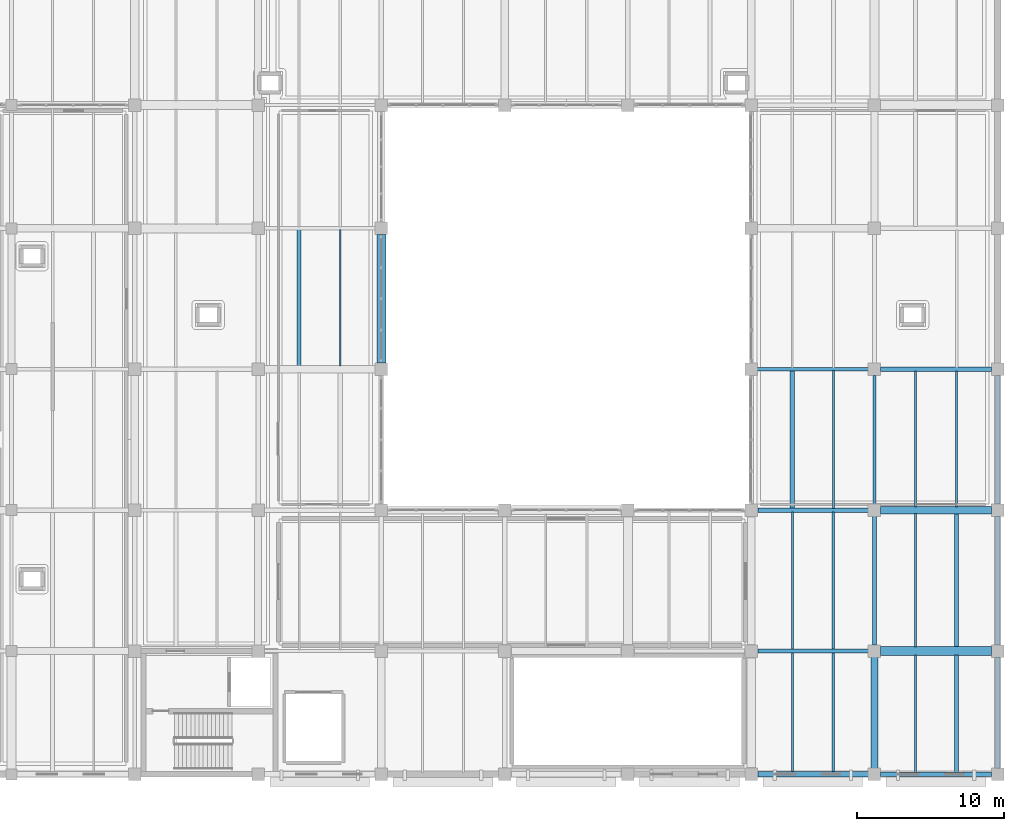
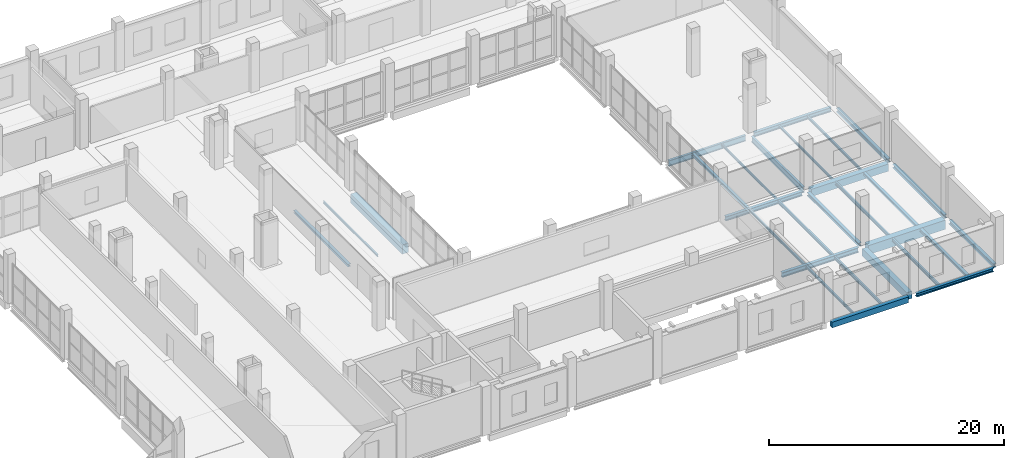
# One storey, part 32 of 66: 29 beams.
"""IFC4 building model written with IfcOpenShell, lengths in metres."""

from ifc_helpers import new_model, si_unit, direction, frame, origin, origin_2d, place, context, subcontext, project, spatial, rectangle, i_section, extrude, material, material_profile, profile_set, type_object, element, save


model = new_model("IFC4")

# Units and contexts
model_context = context("Model", 3, precision=1e-05, world=origin(), true_north=direction((0.0, 1.0)))
body_context = subcontext(model_context, "Body", "Model", "MODEL_VIEW")
ifc_project = project(units=[si_unit("LENGTHUNIT", "METRE"), si_unit("AREAUNIT", "SQUARE_METRE"), si_unit("VOLUMEUNIT", "CUBIC_METRE"), si_unit("PLANEANGLEUNIT", "RADIAN"), si_unit("MASSUNIT", "GRAM", prefix="KILO")], contexts=[model_context])

# Site, building, storey
site_placement = place(None, origin())
site = spatial("IfcSite", under=ifc_project, at=site_placement, CompositionType="ELEMENT")
building_placement = place(site_placement, origin())
building = spatial("IfcBuilding", under=site, at=building_placement, Name="Zulmaris Art Gallery", CompositionType="ELEMENT")
storey_placement = place(building_placement, frame((0.0, 0.0, 5.39990234375)))
storey = spatial("IfcBuildingStorey", under=building, at=storey_placement, Name="L01", CompositionType="ELEMENT", Elevation=5.39990234375)

# Beams
ifc_material_1 = material(Name="Steel S355J2", Category="steel")
ifc_material_profile_1 = material_profile(ifc_material_1, i_section(OverallWidth=0.219970703125, OverallDepth=0.60009765625, WebThickness=0.011962890625, FlangeThickness=0.01904296875, FilletRadius=0.02392578125, at=origin_2d()), Name="IPE 600")
ifc_profile_set_1 = profile_set([ifc_material_profile_1], Name="Steel S355J2")
beam_type_1 = type_object("IfcBeamType", Name="BEAM-BM07", PredefinedType="BEAM", material=ifc_profile_set_1)
beam_1_placement = place(storey_placement, frame((184.010009765625, 40.800048828125, -0.6298828125), z_axis=(1.0, 0.0, 0.0), x_axis=(0.0, 1.0, 0.0)))
element("IfcBeam", 1, at=beam_1_placement, inside=storey, type_object=beam_type_1, Name="L01 X-girder (183.6..192.0, y=40.8)", PredefinedType="BEAM", context=body_context, shape_type="SweptSolid", body=[
    extrude(i_section(OverallWidth=0.219970703125, OverallDepth=0.60009765625, WebThickness=0.011962890625, FlangeThickness=0.01904296875, FilletRadius=0.02392578125, at=origin_2d()), origin(), (0.0, 0.0, 1.0), 7.580078125),
])
beam_2_placement = place(storey_placement, frame((192.0, 31.610107421875, -0.6298828125), z_axis=(0.0, 1.0, 0.0), x_axis=(-1.0, 0.0, 0.0)))
element("IfcBeam", 2, at=beam_2_placement, inside=storey, type_object=beam_type_1, Name="L01 Y-girder (x=192.0, 31.2..40.8)", PredefinedType="BEAM", context=body_context, shape_type="SweptSolid", body=[
    extrude(i_section(OverallWidth=0.219970703125, OverallDepth=0.60009765625, WebThickness=0.011962890625, FlangeThickness=0.01904296875, FilletRadius=0.02392578125, at=origin_2d()), origin(), (0.0, 0.0, 1.0), 8.77978515625),
])
ifc_material_profile_2 = material_profile(ifc_material_1, i_section(OverallWidth=0.300048828125, OverallDepth=0.330078125, WebThickness=0.009521484375, FlangeThickness=0.0166015625, FilletRadius=0.027099609375, at=origin_2d()), Name="HEA 340")
ifc_profile_set_2 = profile_set([ifc_material_profile_2], Name="Steel S355J2")
beam_type_2 = type_object("IfcBeamType", Name="BEAM-BM08", PredefinedType="BEAM", material=ifc_profile_set_2)
beam_3_placement = place(storey_placement, frame((192.0, 22.010009765625, -0.494873046875), z_axis=(0.0, 1.0, 0.0), x_axis=(-1.0, 0.0, 0.0)))
element("IfcBeam", 3, at=beam_3_placement, inside=storey, type_object=beam_type_2, Name="L01 Y-girder (x=192.0, 21.6..31.2)", PredefinedType="BEAM", context=body_context, shape_type="SweptSolid", body=[
    extrude(i_section(OverallWidth=0.300048828125, OverallDepth=0.330078125, WebThickness=0.009521484375, FlangeThickness=0.0166015625, FilletRadius=0.027099609375, at=origin_2d()), origin(), (0.0, 0.0, 1.0), 8.780029296875),
])
ifc_material_profile_3 = material_profile(ifc_material_1, i_section(OverallWidth=0.300048828125, OverallDepth=0.449951171875, WebThickness=0.013916015625, FlangeThickness=0.02587890625, FilletRadius=0.027099609375, at=origin_2d()), Name="HEB 450")
ifc_profile_set_3 = profile_set([ifc_material_profile_3], Name="Steel S355J2")
beam_type_3 = type_object("IfcBeamType", Name="BEAM-BM13", PredefinedType="BEAM", material=ifc_profile_set_3)
beam_4_placement = place(storey_placement, frame((184.06005859375, 31.199951171875, -0.554931640625), z_axis=(1.0, 0.0, 0.0), x_axis=(0.0, 1.0, 0.0)))
element("IfcBeam", 4, at=beam_4_placement, inside=storey, type_object=beam_type_3, Name="L01 X-girder (183.6..192.0, y=31.2)", PredefinedType="BEAM", context=body_context, shape_type="SweptSolid", body=[
    extrude(i_section(OverallWidth=0.300048828125, OverallDepth=0.449951171875, WebThickness=0.013916015625, FlangeThickness=0.02587890625, FilletRadius=0.027099609375, at=origin_2d()), origin(), (0.0, 0.0, 1.0), 7.530029296875),
])
beam_5_placement = place(storey_placement, frame((192.409912109375, 40.800048828125, -0.554931640625), z_axis=(1.0, 0.0, 0.0), x_axis=(0.0, 1.0, 0.0)))
element("IfcBeam", 5, at=beam_5_placement, inside=storey, type_object=beam_type_3, Name="L01 X-girder (192.0..200.4, y=40.8)", PredefinedType="BEAM", context=body_context, shape_type="SweptSolid", body=[
    extrude(i_section(OverallWidth=0.300048828125, OverallDepth=0.449951171875, WebThickness=0.013916015625, FlangeThickness=0.02587890625, FilletRadius=0.027099609375, at=origin_2d()), origin(), (0.0, 0.0, 1.0), 7.580078125),
])
ifc_material_profile_4 = material_profile(ifc_material_1, i_section(OverallWidth=0.300048828125, OverallDepth=0.5, WebThickness=0.014404296875, FlangeThickness=0.028076171875, FilletRadius=0.027099609375, at=origin_2d()), Name="HEB 500")
ifc_profile_set_4 = profile_set([ifc_material_profile_4], Name="Steel S355J2")
beam_type_4 = type_object("IfcBeamType", Name="BEAM-BM14", PredefinedType="BEAM", material=ifc_profile_set_4)
beam_6_placement = place(storey_placement, frame((184.06005859375, 21.60009765625, -0.579833984375), z_axis=(1.0, 0.0, 0.0), x_axis=(0.0, 1.0, 0.0)))
element("IfcBeam", 6, at=beam_6_placement, inside=storey, type_object=beam_type_4, Name="L01 X-girder (183.6..192.0, y=21.6)", PredefinedType="BEAM", context=body_context, shape_type="SweptSolid", body=[
    extrude(i_section(OverallWidth=0.300048828125, OverallDepth=0.5, WebThickness=0.014404296875, FlangeThickness=0.028076171875, FilletRadius=0.027099609375, at=origin_2d()), origin(), (0.0, 0.0, 1.0), 7.530029296875),
])
ifc_material_2 = material(Name="Concrete C40/50", Category="concrete")
ifc_material_profile_5 = material_profile(ifc_material_2, rectangle(XDim=0.5, YDim=0.75, at=origin_2d()), Name="RC 500x750")
ifc_profile_set_5 = profile_set([ifc_material_profile_5], Name="Concrete C40/50")
beam_type_5 = type_object("IfcBeamType", Name="BEAM-BM20", PredefinedType="BEAM", material=ifc_profile_set_5)
beam_7_placement = place(storey_placement, frame((192.409912109375, 31.199951171875, -0.704833984375), z_axis=(1.0, 0.0, 0.0), x_axis=(0.0, 1.0, 0.0)))
element("IfcBeam", 7, at=beam_7_placement, inside=storey, type_object=beam_type_5, Name="L01 X-girder (192.0..200.4, y=31.2)", PredefinedType="BEAM", context=body_context, shape_type="SweptSolid", body=[
    extrude(rectangle(XDim=0.5, YDim=0.75, at=origin_2d()), origin(), (0.0, 0.0, 1.0), 7.580078125),
])
beam_8_placement = place(storey_placement, frame((192.0, 13.610107421875, -0.704833984375), z_axis=(0.0, 1.0, 0.0), x_axis=(-1.0, 0.0, 0.0)))
element("IfcBeam", 8, at=beam_8_placement, inside=storey, type_object=beam_type_5, Name="L01 Y-girder (x=192.0, 13.2..21.6)", PredefinedType="BEAM", context=body_context, shape_type="SweptSolid", body=[
    extrude(rectangle(XDim=0.5, YDim=0.75, at=origin_2d()), origin(), (0.0, 0.0, 1.0), 7.579833984375),
])
ifc_material_profile_6 = material_profile(ifc_material_2, rectangle(XDim=0.60009765625, YDim=0.949951171875, at=origin_2d()), Name="RC 600x950")
ifc_profile_set_6 = profile_set([ifc_material_profile_6], Name="Concrete C40/50")
beam_type_6 = type_object("IfcBeamType", Name="BEAM-BM22", PredefinedType="BEAM", material=ifc_profile_set_6)
beam_9_placement = place(storey_placement, frame((192.409912109375, 21.60009765625, -0.804931640625), z_axis=(1.0, 0.0, 0.0), x_axis=(0.0, 1.0, 0.0)))
element("IfcBeam", 9, at=beam_9_placement, inside=storey, type_object=beam_type_6, Name="L01 X-girder (192.0..200.4, y=21.6)", PredefinedType="BEAM", context=body_context, shape_type="SweptSolid", body=[
    extrude(rectangle(XDim=0.60009765625, YDim=0.949951171875, at=origin_2d()), origin(), (0.0, 0.0, 1.0), 7.580078125),
])
beam_10_placement = place(storey_placement, frame((158.39990234375, 41.2099609375, -0.804931640625), z_axis=(0.0, 1.0, 0.0), x_axis=(-1.0, 0.0, 0.0)))
element("IfcBeam", 10, at=beam_10_placement, inside=storey, type_object=beam_type_6, Name="L01 Y-girder (x=158.4, 40.8..50.4)", PredefinedType="BEAM", context=body_context, shape_type="SweptSolid", body=[
    extrude(rectangle(XDim=0.60009765625, YDim=0.949951171875, at=origin_2d()), origin(), (0.0, 0.0, 1.0), 8.780029296875),
])
ifc_material_profile_7 = material_profile(ifc_material_1, i_section(OverallWidth=0.1201171875, OverallDepth=0.239990234375, WebThickness=0.006103515625, FlangeThickness=0.009765625, FilletRadius=0.014892578125, at=origin_2d()), Name="IPE 240")
ifc_profile_set_7 = profile_set([ifc_material_profile_7], Name="Steel S355J2")
beam_type_7 = type_object("IfcBeamType", Name="BEAM-JS01", PredefinedType="JOIST", material=ifc_profile_set_7)
beam_11_placement = place(storey_placement, frame((155.60009765625, 41.02490234375, -0.449951171875), z_axis=(0.0, 1.0, 0.0), x_axis=(-1.0, 0.0, 0.0)))
element("IfcBeam", 11, at=beam_11_placement, inside=storey, type_object=beam_type_7, Name="L01 secondary joist at x=155.6", PredefinedType="JOIST", context=body_context, shape_type="SweptSolid", body=[
    extrude(i_section(OverallWidth=0.1201171875, OverallDepth=0.239990234375, WebThickness=0.006103515625, FlangeThickness=0.009765625, FilletRadius=0.014892578125, at=origin_2d()), origin(), (0.0, 0.0, 1.0), 9.2900390625),
])
beam_12_placement = place(storey_placement, frame((189.199951171875, 31.324951171875, -0.449951171875), z_axis=(0.0, 1.0, 0.0), x_axis=(-1.0, 0.0, 0.0)))
element("IfcBeam", 12, at=beam_12_placement, inside=storey, type_object=beam_type_7, Name="L01 secondary joist at x=189.2", PredefinedType="JOIST", context=body_context, shape_type="SweptSolid", body=[
    extrude(i_section(OverallWidth=0.1201171875, OverallDepth=0.239990234375, WebThickness=0.006103515625, FlangeThickness=0.009765625, FilletRadius=0.014892578125, at=origin_2d()), origin(), (0.0, 0.0, 1.0), 9.39013671875),
])
beam_13_placement = place(storey_placement, frame((194.800048828125, 31.425048828125, -0.449951171875), z_axis=(0.0, 1.0, 0.0), x_axis=(-1.0, 0.0, 0.0)))
element("IfcBeam", 13, at=beam_13_placement, inside=storey, type_object=beam_type_7, Name="L01 secondary joist at x=194.8", PredefinedType="JOIST", context=body_context, shape_type="SweptSolid", body=[
    extrude(i_section(OverallWidth=0.1201171875, OverallDepth=0.239990234375, WebThickness=0.006103515625, FlangeThickness=0.009765625, FilletRadius=0.014892578125, at=origin_2d()), origin(), (0.0, 0.0, 1.0), 9.25),
])
ifc_material_profile_8 = material_profile(ifc_material_1, i_section(OverallWidth=0.135009765625, OverallDepth=0.27001953125, WebThickness=0.006591796875, FlangeThickness=0.01025390625, FilletRadius=0.014892578125, at=origin_2d()), Name="IPE 270")
ifc_profile_set_8 = profile_set([ifc_material_profile_8], Name="Steel S355J2")
beam_type_8 = type_object("IfcBeamType", Name="BEAM-JS02", PredefinedType="JOIST", material=ifc_profile_set_8)
beam_14_placement = place(storey_placement, frame((186.39990234375, 13.375, -0.46484375), z_axis=(0.0, 1.0, 0.0), x_axis=(-1.0, 0.0, 0.0)))
element("IfcBeam", 14, at=beam_14_placement, inside=storey, type_object=beam_type_8, Name="L01 secondary joist at x=186.4", PredefinedType="JOIST", context=body_context, shape_type="SweptSolid", body=[
    extrude(i_section(OverallWidth=0.135009765625, OverallDepth=0.27001953125, WebThickness=0.006591796875, FlangeThickness=0.01025390625, FilletRadius=0.014892578125, at=origin_2d()), origin(), (0.0, 0.0, 1.0), 8.10009765625),
])
beam_15_placement = place(storey_placement, frame((186.39990234375, 21.72509765625, -0.46484375), z_axis=(0.0, 1.0, 0.0), x_axis=(-1.0, 0.0, 0.0)))
element("IfcBeam", 15, at=beam_15_placement, inside=storey, type_object=beam_type_8, Name="L01 secondary joist at x=186.4", PredefinedType="JOIST", context=body_context, shape_type="SweptSolid", body=[
    extrude(i_section(OverallWidth=0.135009765625, OverallDepth=0.27001953125, WebThickness=0.006591796875, FlangeThickness=0.01025390625, FilletRadius=0.014892578125, at=origin_2d()), origin(), (0.0, 0.0, 1.0), 9.349853515625),
])
beam_16_placement = place(storey_placement, frame((197.60009765625, 31.425048828125, -0.46484375), z_axis=(0.0, 1.0, 0.0), x_axis=(-1.0, 0.0, 0.0)))
element("IfcBeam", 16, at=beam_16_placement, inside=storey, type_object=beam_type_8, Name="L01 secondary joist at x=197.6", PredefinedType="JOIST", context=body_context, shape_type="SweptSolid", body=[
    extrude(i_section(OverallWidth=0.135009765625, OverallDepth=0.27001953125, WebThickness=0.006591796875, FlangeThickness=0.01025390625, FilletRadius=0.014892578125, at=origin_2d()), origin(), (0.0, 0.0, 1.0), 9.25),
])
ifc_material_profile_9 = material_profile(ifc_material_1, i_section(OverallWidth=0.159912109375, OverallDepth=0.330078125, WebThickness=0.007568359375, FlangeThickness=0.011474609375, FilletRadius=0.01806640625, at=origin_2d()), Name="IPE 330")
ifc_profile_set_9 = profile_set([ifc_material_profile_9], Name="Steel S355J2")
beam_type_9 = type_object("IfcBeamType", Name="BEAM-JS03", PredefinedType="JOIST", material=ifc_profile_set_9)
beam_17_placement = place(storey_placement, frame((189.199951171875, 13.375, -0.494873046875), z_axis=(0.0, 1.0, 0.0), x_axis=(-1.0, 0.0, 0.0)))
element("IfcBeam", 17, at=beam_17_placement, inside=storey, type_object=beam_type_9, Name="L01 secondary joist at x=189.2", PredefinedType="JOIST", context=body_context, shape_type="SweptSolid", body=[
    extrude(i_section(OverallWidth=0.159912109375, OverallDepth=0.330078125, WebThickness=0.007568359375, FlangeThickness=0.011474609375, FilletRadius=0.01806640625, at=origin_2d()), origin(), (0.0, 0.0, 1.0), 8.10009765625),
])
beam_18_placement = place(storey_placement, frame((189.199951171875, 21.72509765625, -0.494873046875), z_axis=(0.0, 1.0, 0.0), x_axis=(-1.0, 0.0, 0.0)))
element("IfcBeam", 18, at=beam_18_placement, inside=storey, type_object=beam_type_9, Name="L01 secondary joist at x=189.2", PredefinedType="JOIST", context=body_context, shape_type="SweptSolid", body=[
    extrude(i_section(OverallWidth=0.159912109375, OverallDepth=0.330078125, WebThickness=0.007568359375, FlangeThickness=0.011474609375, FilletRadius=0.01806640625, at=origin_2d()), origin(), (0.0, 0.0, 1.0), 9.349853515625),
])
beam_19_placement = place(storey_placement, frame((194.800048828125, 13.324951171875, -0.494873046875), z_axis=(0.0, 1.0, 0.0), x_axis=(-1.0, 0.0, 0.0)))
element("IfcBeam", 19, at=beam_19_placement, inside=storey, type_object=beam_type_9, Name="L01 secondary joist at x=194.8", PredefinedType="JOIST", context=body_context, shape_type="SweptSolid", body=[
    extrude(i_section(OverallWidth=0.159912109375, OverallDepth=0.330078125, WebThickness=0.007568359375, FlangeThickness=0.011474609375, FilletRadius=0.01806640625, at=origin_2d()), origin(), (0.0, 0.0, 1.0), 8.0),
])
beam_20_placement = place(storey_placement, frame((194.800048828125, 21.875, -0.494873046875), z_axis=(0.0, 1.0, 0.0), x_axis=(-1.0, 0.0, 0.0)))
element("IfcBeam", 20, at=beam_20_placement, inside=storey, type_object=beam_type_9, Name="L01 secondary joist at x=194.8", PredefinedType="JOIST", context=body_context, shape_type="SweptSolid", body=[
    extrude(i_section(OverallWidth=0.159912109375, OverallDepth=0.330078125, WebThickness=0.007568359375, FlangeThickness=0.011474609375, FilletRadius=0.01806640625, at=origin_2d()), origin(), (0.0, 0.0, 1.0), 9.10009765625),
])
ifc_material_profile_10 = material_profile(ifc_material_1, i_section(OverallWidth=0.280029296875, OverallDepth=0.27001953125, WebThickness=0.008056640625, FlangeThickness=0.012939453125, FilletRadius=0.02392578125, at=origin_2d()), Name="HEA 280")
ifc_profile_set_10 = profile_set([ifc_material_profile_10], Name="Steel S355J2")
beam_type_10 = type_object("IfcBeamType", Name="BEAM-JS04", PredefinedType="JOIST", material=ifc_profile_set_10)
beam_21_placement = place(storey_placement, frame((152.800048828125, 41.02490234375, -0.46484375), z_axis=(0.0, 1.0, 0.0), x_axis=(-1.0, 0.0, 0.0)))
element("IfcBeam", 21, at=beam_21_placement, inside=storey, type_object=beam_type_10, Name="L01 secondary joist at x=152.8", PredefinedType="JOIST", context=body_context, shape_type="SweptSolid", body=[
    extrude(i_section(OverallWidth=0.280029296875, OverallDepth=0.27001953125, WebThickness=0.008056640625, FlangeThickness=0.012939453125, FilletRadius=0.02392578125, at=origin_2d()), origin(), (0.0, 0.0, 1.0), 9.2900390625),
])
beam_22_placement = place(storey_placement, frame((186.39990234375, 31.324951171875, -0.46484375), z_axis=(0.0, 1.0, 0.0), x_axis=(-1.0, 0.0, 0.0)))
element("IfcBeam", 22, at=beam_22_placement, inside=storey, type_object=beam_type_10, Name="L01 secondary joist at x=186.4", PredefinedType="JOIST", context=body_context, shape_type="SweptSolid", body=[
    extrude(i_section(OverallWidth=0.280029296875, OverallDepth=0.27001953125, WebThickness=0.008056640625, FlangeThickness=0.012939453125, FilletRadius=0.02392578125, at=origin_2d()), origin(), (0.0, 0.0, 1.0), 9.39013671875),
])
beam_23_placement = place(storey_placement, frame((197.60009765625, 13.324951171875, -0.46484375), z_axis=(0.0, 1.0, 0.0), x_axis=(-1.0, 0.0, 0.0)))
element("IfcBeam", 23, at=beam_23_placement, inside=storey, type_object=beam_type_10, Name="L01 secondary joist at x=197.6", PredefinedType="JOIST", context=body_context, shape_type="SweptSolid", body=[
    extrude(i_section(OverallWidth=0.280029296875, OverallDepth=0.27001953125, WebThickness=0.008056640625, FlangeThickness=0.012939453125, FilletRadius=0.02392578125, at=origin_2d()), origin(), (0.0, 0.0, 1.0), 8.0),
])
beam_24_placement = place(storey_placement, frame((197.60009765625, 21.875, -0.46484375), z_axis=(0.0, 1.0, 0.0), x_axis=(-1.0, 0.0, 0.0)))
element("IfcBeam", 24, at=beam_24_placement, inside=storey, type_object=beam_type_10, Name="L01 secondary joist at x=197.6", PredefinedType="JOIST", context=body_context, shape_type="SweptSolid", body=[
    extrude(i_section(OverallWidth=0.280029296875, OverallDepth=0.27001953125, WebThickness=0.008056640625, FlangeThickness=0.012939453125, FilletRadius=0.02392578125, at=origin_2d()), origin(), (0.0, 0.0, 1.0), 9.10009765625),
])
ifc_material_profile_11 = material_profile(ifc_material_1, i_section(OverallWidth=0.300048828125, OverallDepth=0.35009765625, WebThickness=0.010009765625, FlangeThickness=0.017578125, FilletRadius=0.027099609375, at=origin_2d()), Name="HEA 360")
ifc_profile_set_11 = profile_set([ifc_material_profile_11], Name="Steel S355J2")
beam_type_11 = type_object("IfcBeamType", Name="BEAM-SP01", PredefinedType="SPANDREL", material=ifc_profile_set_11)
beam_25_placement = place(storey_placement, frame((192.409912109375, 13.199951171875, -0.5048828125), z_axis=(1.0, 0.0, 0.0), x_axis=(0.0, 1.0, 0.0)))
element("IfcBeam", 25, at=beam_25_placement, inside=storey, type_object=beam_type_11, Name="L01 X-girder (192.0..200.4, y=13.2)", PredefinedType="SPANDREL", context=body_context, shape_type="SweptSolid", body=[
    extrude(i_section(OverallWidth=0.300048828125, OverallDepth=0.35009765625, WebThickness=0.010009765625, FlangeThickness=0.017578125, FilletRadius=0.027099609375, at=origin_2d()), origin(), (0.0, 0.0, 1.0), 7.580078125),
])
ifc_material_profile_12 = material_profile(ifc_material_1, i_section(OverallWidth=0.300048828125, OverallDepth=0.39990234375, WebThickness=0.013427734375, FlangeThickness=0.02392578125, FilletRadius=0.027099609375, at=origin_2d()), Name="HEB 400")
ifc_profile_set_12 = profile_set([ifc_material_profile_12], Name="Steel S355J2")
beam_type_12 = type_object("IfcBeamType", Name="BEAM-SP02", PredefinedType="SPANDREL", material=ifc_profile_set_12)
beam_26_placement = place(storey_placement, frame((200.39990234375, 13.610107421875, -0.52978515625), z_axis=(0.0, 1.0, 0.0), x_axis=(-1.0, 0.0, 0.0)))
element("IfcBeam", 26, at=beam_26_placement, inside=storey, type_object=beam_type_12, Name="L01 Y-girder (x=200.4, 13.2..21.6)", PredefinedType="SPANDREL", context=body_context, shape_type="SweptSolid", body=[
    extrude(i_section(OverallWidth=0.300048828125, OverallDepth=0.39990234375, WebThickness=0.013427734375, FlangeThickness=0.02392578125, FilletRadius=0.027099609375, at=origin_2d()), origin(), (0.0, 0.0, 1.0), 7.579833984375),
])
beam_27_placement = place(storey_placement, frame((200.39990234375, 22.010009765625, -0.52978515625), z_axis=(0.0, 1.0, 0.0), x_axis=(-1.0, 0.0, 0.0)))
element("IfcBeam", 27, at=beam_27_placement, inside=storey, type_object=beam_type_12, Name="L01 Y-girder (x=200.4, 21.6..31.2)", PredefinedType="SPANDREL", context=body_context, shape_type="SweptSolid", body=[
    extrude(i_section(OverallWidth=0.300048828125, OverallDepth=0.39990234375, WebThickness=0.013427734375, FlangeThickness=0.02392578125, FilletRadius=0.027099609375, at=origin_2d()), origin(), (0.0, 0.0, 1.0), 8.780029296875),
])
beam_28_placement = place(storey_placement, frame((200.39990234375, 31.610107421875, -0.52978515625), z_axis=(0.0, 1.0, 0.0), x_axis=(-1.0, 0.0, 0.0)))
element("IfcBeam", 28, at=beam_28_placement, inside=storey, type_object=beam_type_12, Name="L01 Y-girder (x=200.4, 31.2..40.8)", PredefinedType="SPANDREL", context=body_context, shape_type="SweptSolid", body=[
    extrude(i_section(OverallWidth=0.300048828125, OverallDepth=0.39990234375, WebThickness=0.013427734375, FlangeThickness=0.02392578125, FilletRadius=0.027099609375, at=origin_2d()), origin(), (0.0, 0.0, 1.0), 8.77978515625),
])
ifc_material_profile_13 = material_profile(ifc_material_2, rectangle(XDim=0.39990234375, YDim=0.60009765625, at=origin_2d()), Name="RC 400x600")
ifc_profile_set_13 = profile_set([ifc_material_profile_13], Name="Concrete C40/50")
beam_type_13 = type_object("IfcBeamType", Name="BEAM-SP03", PredefinedType="SPANDREL", material=ifc_profile_set_13)
beam_29_placement = place(storey_placement, frame((184.06005859375, 13.199951171875, -0.6298828125), z_axis=(1.0, 0.0, 0.0), x_axis=(0.0, 1.0, 0.0)))
element("IfcBeam", 29, at=beam_29_placement, inside=storey, type_object=beam_type_13, Name="L01 X-girder (183.6..192.0, y=13.2)", PredefinedType="SPANDREL", context=body_context, shape_type="SweptSolid", body=[
    extrude(rectangle(XDim=0.39990234375, YDim=0.60009765625, at=origin_2d()), origin(), (0.0, 0.0, 1.0), 7.530029296875),
])

save(model, "model.ifc")
